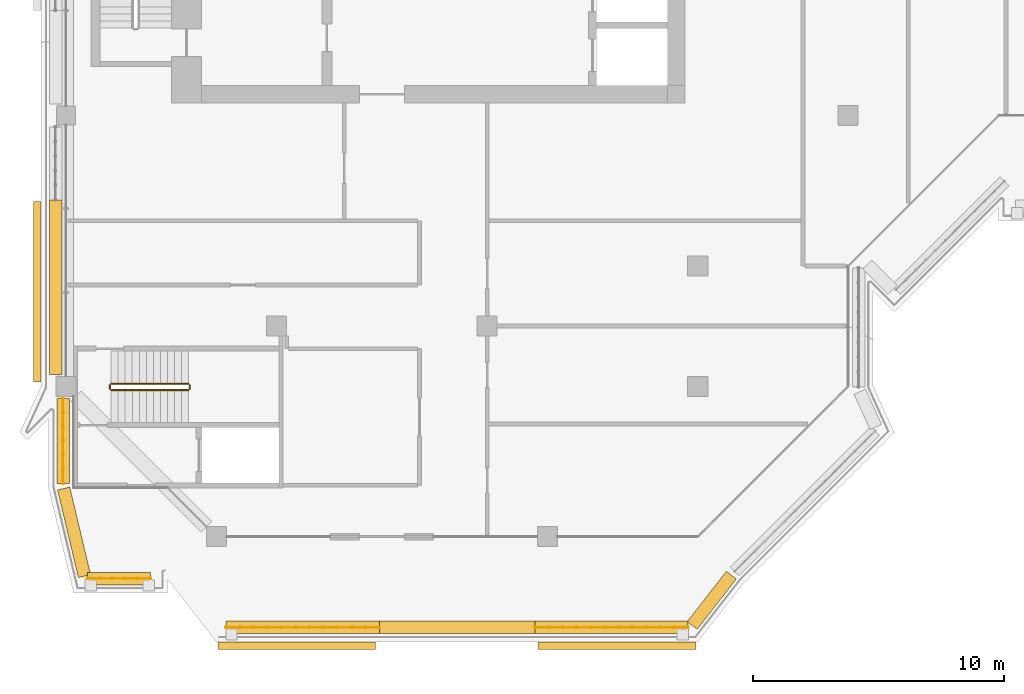
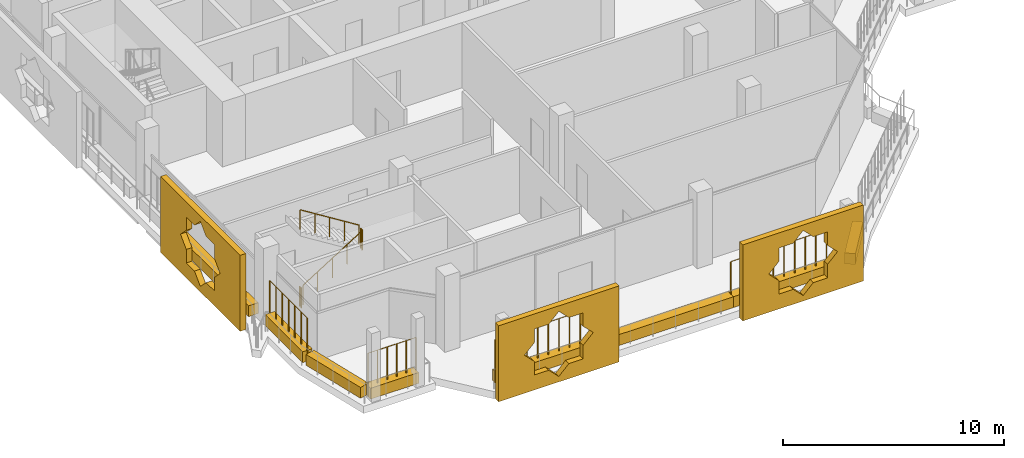
# One storey, part 15 of 21: 11 coverings, 8 railings.
"""IFC4 building model written with IfcOpenShell, lengths in metres."""

from ifc_helpers import new_model, si_unit, direction, frame, origin, origin_2d, place, context, subcontext, project, spatial, polyline, rectangle, circle, outline, extrude, material, material_profile, profile_set, type_object, element, save


model = new_model("IFC4")

# Units and contexts
model_context = context("Model", 3, precision=1e-05, world=origin(), true_north=direction((0.0, 1.0)))
body_context = subcontext(model_context, "Body", "Model", "MODEL_VIEW")
ifc_project = project(units=[si_unit("LENGTHUNIT", "METRE"), si_unit("AREAUNIT", "SQUARE_METRE"), si_unit("VOLUMEUNIT", "CUBIC_METRE"), si_unit("PLANEANGLEUNIT", "RADIAN"), si_unit("MASSUNIT", "GRAM", prefix="KILO")], contexts=[model_context])

# Site, building, storey
site_placement = place(None, origin())
site = spatial("IfcSite", under=ifc_project, at=site_placement, CompositionType="ELEMENT")
building_placement = place(site_placement, origin())
building = spatial("IfcBuilding", under=site, at=building_placement, Name="Kawkab Arch Medical Tower", CompositionType="ELEMENT")
storey_placement = place(building_placement, frame((0.0, 0.0, 319.60009765625)))
storey = spatial("IfcBuildingStorey", under=building, at=storey_placement, Name="L74", CompositionType="ELEMENT", Elevation=319.60009765625)

# Coverings
ifc_material_1 = material(Name="Bronze anodised aluminium mashrabiya panel, eight-point star pattern", Category="aluminium")
ifc_material_profile_1 = material_profile(ifc_material_1, outline(polyline([(-3.14990234375, -2.10009765625), (3.14990234375, -2.10009765625), (3.14990234375, 2.10009765625), (-3.14990234375, 2.10009765625), (-3.14990234375, -2.10009765625)]), holes=[polyline([(1.800048828125, 0.0), (1.272705078125, 0.527099609375), (1.272705078125, 1.272705078125), (0.527099609375, 1.272705078125), (0.0, 1.800048828125), (-0.527099609375, 1.272705078125), (-1.272705078125, 1.272705078125), (-1.272705078125, 0.527099609375), (-1.800048828125, 0.0), (-1.272705078125, -0.527099609375), (-1.272705078125, -1.272705078125), (-0.527099609375, -1.272705078125), (0.0, -1.800048828125), (0.527099609375, -1.272705078125), (1.272705078125, -1.272705078125), (1.272705078125, -0.527099609375), (1.800048828125, 0.0)])]), Name="Mashrabiya panel 6300x4200")
ifc_profile_set_1 = profile_set([ifc_material_profile_1], Name="Bronze anodised aluminium mashrabiya panel, eight-point star pattern")
covering_type_1 = type_object("IfcCoveringType", Name="Mashrabiya panel 6300 x 4200", PredefinedType="USERDEFINED", material=ifc_profile_set_1)
for number, where, z_axis, x_axis, name in (
    (1, (21.976806640625, -46.199951171875, 1.699951171875), (0.0, -1.0, 0.0), (1.0, 0.0, 0.0), "Mashrabiya panel L74.LOG-01-01.8"),
    (2, (9.203369140625, -46.199951171875, 1.699951171875), (0.0, -1.0, 0.0), (1.0, 0.0, 0.0), "Mashrabiya panel L74.LOG-01-01.9"),
):
    element("IfcCovering", number, at=place(storey_placement, frame(where, z_axis=z_axis, x_axis=x_axis)), inside=storey, type_object=covering_type_1, Name=name, ObjectType="SCREEN", PredefinedType="USERDEFINED", context=body_context, shape_type="SweptSolid", body=[
        extrude(outline(polyline([(-3.14990234375, -2.10009765625), (3.14990234375, -2.10009765625), (3.14990234375, 2.10009765625), (-3.14990234375, 2.10009765625), (-3.14990234375, -2.10009765625)]), holes=[polyline([(1.800048828125, 0.0), (1.272705078125, 0.527099609375), (1.272705078125, 1.272705078125), (0.527099609375, 1.272705078125), (0.0, 1.800048828125), (-0.527099609375, 1.272705078125), (-1.272705078125, 1.272705078125), (-1.272705078125, 0.527099609375), (-1.800048828125, 0.0), (-1.272705078125, -0.527099609375), (-1.272705078125, -1.272705078125), (-0.527099609375, -1.272705078125), (0.0, -1.800048828125), (0.527099609375, -1.272705078125), (1.272705078125, -1.272705078125), (1.272705078125, -0.527099609375), (1.800048828125, 0.0)])]), origin(), (0.0, 0.0, 1.0), 0.300048828125),
    ])
ifc_material_2 = material(Name="Bronze anodised aluminium mashrabiya panel, eight-point star pattern", Category="aluminium")
ifc_material_profile_2 = material_profile(ifc_material_2, outline(polyline([(-3.60009765625, -2.10009765625), (3.60009765625, -2.10009765625), (3.60009765625, 2.10009765625), (-3.60009765625, 2.10009765625), (-3.60009765625, -2.10009765625)]), holes=[polyline([(1.800048828125, 0.0), (1.272705078125, 0.527099609375), (1.272705078125, 1.272705078125), (0.527099609375, 1.272705078125), (0.0, 1.800048828125), (-0.527099609375, 1.272705078125), (-1.272705078125, 1.272705078125), (-1.272705078125, 0.527099609375), (-1.800048828125, 0.0), (-1.272705078125, -0.527099609375), (-1.272705078125, -1.272705078125), (-0.527099609375, -1.272705078125), (0.0, -1.800048828125), (0.527099609375, -1.272705078125), (1.272705078125, -1.272705078125), (1.272705078125, -0.527099609375), (1.800048828125, 0.0)])]), Name="Mashrabiya panel 7200x4200")
ifc_profile_set_2 = profile_set([ifc_material_profile_2], Name="Bronze anodised aluminium mashrabiya panel, eight-point star pattern")
covering_type_2 = type_object("IfcCoveringType", Name="Mashrabiya panel 7200 x 4200", PredefinedType="USERDEFINED", material=ifc_profile_set_2)
covering_1_placement = place(storey_placement, frame((-1.0, -32.231689453125, 1.699951171875), z_axis=(-1.0, 0.0, 0.0), x_axis=(0.0, -1.0, 0.0)))
element("IfcCovering", 3, at=covering_1_placement, inside=storey, type_object=covering_type_2, Name="Mashrabiya panel L74.LOG-01-01.1", ObjectType="SCREEN", PredefinedType="USERDEFINED", context=body_context, shape_type="SweptSolid", body=[
    extrude(outline(polyline([(-3.60009765625, -2.10009765625), (3.60009765625, -2.10009765625), (3.60009765625, 2.10009765625), (-3.60009765625, 2.10009765625), (-3.60009765625, -2.10009765625)]), holes=[polyline([(1.800048828125, 0.0), (1.272705078125, 0.527099609375), (1.272705078125, 1.272705078125), (0.527099609375, 1.272705078125), (0.0, 1.800048828125), (-0.527099609375, 1.272705078125), (-1.272705078125, 1.272705078125), (-1.272705078125, 0.527099609375), (-1.800048828125, 0.0), (-1.272705078125, -0.527099609375), (-1.272705078125, -1.272705078125), (-0.527099609375, -1.272705078125), (0.0, -1.800048828125), (0.527099609375, -1.272705078125), (1.272705078125, -1.272705078125), (1.272705078125, -0.527099609375), (1.800048828125, 0.0)])]), origin(), (0.0, 0.0, 1.0), 0.300048828125),
])
ifc_material_3 = material(Name="Planting soil in a precast trough", Category="concrete")
ifc_material_profile_3 = material_profile(ifc_material_3, rectangle(XDim=0.5, YDim=0.60009765625, at=origin_2d()), Name="Trough 500x600")
ifc_profile_set_3 = profile_set([ifc_material_profile_3], Name="Planting soil in a precast trough")
covering_type_3 = type_object("IfcCoveringType", Name="Planter trough 500 x 600", PredefinedType="USERDEFINED", material=ifc_profile_set_3)
covering_2_placement = place(storey_placement, frame((3.3701171875, -43.669921875, 0.2998046875), z_axis=(-1.0, 0.0, 0.0), x_axis=(0.0, -1.0, 0.0)))
element("IfcCovering", 4, at=covering_2_placement, inside=storey, type_object=covering_type_3, Name="Planter L74.LOG-01-01.1", ObjectType="PLANTER", PredefinedType="USERDEFINED", context=body_context, shape_type="SweptSolid", body=[
    extrude(rectangle(XDim=0.5, YDim=0.60009765625, at=origin_2d()), origin(), (0.0, 0.0, 1.0), 2.51220703125),
])
covering_3_placement = place(storey_placement, frame((0.735107421875, -43.572998046875, 0.2998046875), z_axis=(-0.231660349642, 0.972796732315, 0.0), x_axis=(-0.972796732315, -0.231660349642, 0.0)))
element("IfcCovering", 5, at=covering_3_placement, inside=storey, type_object=covering_type_3, Name="Planter L74.LOG-01-01.2", ObjectType="PLANTER", PredefinedType="USERDEFINED", context=body_context, shape_type="SweptSolid", body=[
    extrude(rectangle(XDim=0.5, YDim=0.60009765625, at=origin_2d()), origin(), (0.0, 0.0, 1.0), 3.591552734375),
])
covering_4_placement = place(storey_placement, frame((-0.1201171875, -39.882080078125, 0.2998046875), z_axis=(0.0, 1.0, 0.0), x_axis=(-1.0, 0.0, 0.0)))
element("IfcCovering", 6, at=covering_4_placement, inside=storey, type_object=covering_type_3, Name="Planter L74.LOG-01-01.3", ObjectType="PLANTER", PredefinedType="USERDEFINED", context=body_context, shape_type="SweptSolid", body=[
    extrude(rectangle(XDim=0.5, YDim=0.60009765625, at=origin_2d()), origin(), (0.0, 0.0, 1.0), 3.402099609375),
])
covering_5_placement = place(storey_placement, frame((-0.419921875, -35.52001953125, 0.2998046875), z_axis=(0.0, 1.0, 0.0), x_axis=(-1.0, 0.0, 0.0)))
element("IfcCovering", 7, at=covering_5_placement, inside=storey, type_object=covering_type_3, Name="Planter L74.LOG-01-01.4", ObjectType="PLANTER", PredefinedType="USERDEFINED", context=body_context, shape_type="SweptSolid", body=[
    extrude(rectangle(XDim=0.5, YDim=0.60009765625, at=origin_2d()), origin(), (0.0, 0.0, 1.0), 6.95703125),
])
covering_6_placement = place(storey_placement, frame((26.541015625, -43.531982421875, 0.2998046875), z_axis=(-0.61404021143, -0.789274742246, 0.0), x_axis=(0.789274742246, -0.61404021143, 0.0)))
element("IfcCovering", 8, at=covering_6_placement, inside=storey, type_object=covering_type_3, Name="Planter L74.LOG-01-01.34", ObjectType="PLANTER", PredefinedType="USERDEFINED", context=body_context, shape_type="SweptSolid", body=[
    extrude(rectangle(XDim=0.5, YDim=0.60009765625, at=origin_2d()), origin(), (0.0, 0.0, 1.0), 2.54541015625),
])
covering_7_placement = place(storey_placement, frame((24.81591796875, -45.6201171875, 0.2998046875), z_axis=(-1.0, 0.0, 0.0), x_axis=(0.0, -1.0, 0.0)))
element("IfcCovering", 9, at=covering_7_placement, inside=storey, type_object=covering_type_3, Name="Planter L74.LOG-01-01.35", ObjectType="PLANTER", PredefinedType="USERDEFINED", context=body_context, shape_type="SweptSolid", body=[
    extrude(rectangle(XDim=0.5, YDim=0.60009765625, at=origin_2d()), origin(), (0.0, 0.0, 1.0), 6.11083984375),
])
covering_8_placement = place(storey_placement, frame((18.705078125, -45.6201171875, 0.2998046875), z_axis=(-1.0, 0.0, 0.0), x_axis=(0.0, -1.0, 0.0)))
element("IfcCovering", 10, at=covering_8_placement, inside=storey, type_object=covering_type_3, Name="Planter L74.LOG-01-01.36", ObjectType="PLANTER", PredefinedType="USERDEFINED", context=body_context, shape_type="SweptSolid", body=[
    extrude(rectangle(XDim=0.5, YDim=0.60009765625, at=origin_2d()), origin(), (0.0, 0.0, 1.0), 6.2099609375),
])
covering_9_placement = place(storey_placement, frame((12.4951171875, -45.6201171875, 0.2998046875), z_axis=(-1.0, 0.0, 0.0), x_axis=(0.0, -1.0, 0.0)))
element("IfcCovering", 11, at=covering_9_placement, inside=storey, type_object=covering_type_3, Name="Planter L74.LOG-01-01.37", ObjectType="PLANTER", PredefinedType="USERDEFINED", context=body_context, shape_type="SweptSolid", body=[
    extrude(rectangle(XDim=0.5, YDim=0.60009765625, at=origin_2d()), origin(), (0.0, 0.0, 1.0), 6.111083984375),
])

# Railings
ifc_material_4 = material(Name="Bronze anodised aluminium trellis for climbing plants", Category="aluminium")
railing_type_1 = type_object("IfcRailingType", Name="Planting trellis 2400", PredefinedType="USERDEFINED", material=ifc_material_4)
railing_1_placement = place(storey_placement, frame((3.3701171875, -43.669921875, 0.0)))
element("IfcRailing", 12, at=railing_1_placement, inside=storey, type_object=railing_type_1, Name="Planting trellis L74.LOG-01-01.1", ObjectType="TRELLIS", PredefinedType="USERDEFINED", context=body_context, shape_type="SweptSolid", body=[
    extrude(circle(Radius=0.01513671875, at=origin_2d()), frame((0.0, 0.0, 2.384765625), z_axis=(-1.0, 0.0, 0.0), x_axis=(0.0, -1.0, 0.0)), (0.0, 0.0, 1.0), 2.51220703125),
    extrude(circle(Radius=0.030029296875, at=origin_2d()), origin(), (0.0, 0.0, 1.0), 2.369873046875),
    extrude(circle(Radius=0.030029296875, at=origin_2d()), frame((-0.50244140625, 0.0, 0.0)), (0.0, 0.0, 1.0), 2.369873046875),
    extrude(circle(Radius=0.030029296875, at=origin_2d()), frame((-1.0048828125, 0.0, 0.0)), (0.0, 0.0, 1.0), 2.369873046875),
    extrude(circle(Radius=0.030029296875, at=origin_2d()), frame((-1.50732421875, 0.0, 0.0)), (0.0, 0.0, 1.0), 2.369873046875),
    extrude(circle(Radius=0.030029296875, at=origin_2d()), frame((-2.009765625, 0.0, 0.0)), (0.0, 0.0, 1.0), 2.369873046875),
    extrude(circle(Radius=0.030029296875, at=origin_2d()), frame((-2.51220703125, 0.0, 0.0)), (0.0, 0.0, 1.0), 2.369873046875),
])
railing_2_placement = place(storey_placement, frame((-0.1201171875, -39.882080078125, 0.0)))
element("IfcRailing", 13, at=railing_2_placement, inside=storey, type_object=railing_type_1, Name="Planting trellis L74.LOG-01-01.3", ObjectType="TRELLIS", PredefinedType="USERDEFINED", context=body_context, shape_type="SweptSolid", body=[
    extrude(circle(Radius=0.01513671875, at=origin_2d()), frame((0.0, 0.0, 2.384765625), z_axis=(0.0, 1.0, 0.0), x_axis=(-1.0, 0.0, 0.0)), (0.0, 0.0, 1.0), 3.402099609375),
    extrude(circle(Radius=0.030029296875, at=origin_2d()), origin(), (0.0, 0.0, 1.0), 2.369873046875),
    extrude(circle(Radius=0.030029296875, at=origin_2d()), frame((0.0, 0.56689453125, 0.0)), (0.0, 0.0, 1.0), 2.369873046875),
    extrude(circle(Radius=0.030029296875, at=origin_2d()), frame((0.0, 1.134033203125, 0.0)), (0.0, 0.0, 1.0), 2.369873046875),
    extrude(circle(Radius=0.030029296875, at=origin_2d()), frame((0.0, 1.701171875, 0.0)), (0.0, 0.0, 1.0), 2.369873046875),
    extrude(circle(Radius=0.030029296875, at=origin_2d()), frame((0.0, 2.26806640625, 0.0)), (0.0, 0.0, 1.0), 2.369873046875),
    extrude(circle(Radius=0.030029296875, at=origin_2d()), frame((0.0, 2.8349609375, 0.0)), (0.0, 0.0, 1.0), 2.369873046875),
    extrude(circle(Radius=0.030029296875, at=origin_2d()), frame((0.0, 3.402099609375, 0.0)), (0.0, 0.0, 1.0), 2.369873046875),
])
railing_3_placement = place(storey_placement, frame((24.81591796875, -45.6201171875, 0.0)))
element("IfcRailing", 14, at=railing_3_placement, inside=storey, type_object=railing_type_1, Name="Planting trellis L74.LOG-01-01.35", ObjectType="TRELLIS", PredefinedType="USERDEFINED", context=body_context, shape_type="SweptSolid", body=[
    extrude(circle(Radius=0.01513671875, at=origin_2d()), frame((0.0, 0.0, 2.384765625), z_axis=(-1.0, 0.0, 0.0), x_axis=(0.0, -1.0, 0.0)), (0.0, 0.0, 1.0), 6.11083984375),
    extrude(circle(Radius=0.030029296875, at=origin_2d()), origin(), (0.0, 0.0, 1.0), 2.369873046875),
    extrude(circle(Radius=0.030029296875, at=origin_2d()), frame((-0.555419921875, 0.0, 0.0)), (0.0, 0.0, 1.0), 2.369873046875),
    extrude(circle(Radius=0.030029296875, at=origin_2d()), frame((-1.111083984375, 0.0, 0.0)), (0.0, 0.0, 1.0), 2.369873046875),
    extrude(circle(Radius=0.030029296875, at=origin_2d()), frame((-1.66650390625, 0.0, 0.0)), (0.0, 0.0, 1.0), 2.369873046875),
    extrude(circle(Radius=0.030029296875, at=origin_2d()), frame((-2.22216796875, 0.0, 0.0)), (0.0, 0.0, 1.0), 2.369873046875),
    extrude(circle(Radius=0.030029296875, at=origin_2d()), frame((-2.777587890625, 0.0, 0.0)), (0.0, 0.0, 1.0), 2.369873046875),
    extrude(circle(Radius=0.030029296875, at=origin_2d()), frame((-3.333251953125, 0.0, 0.0)), (0.0, 0.0, 1.0), 2.369873046875),
    extrude(circle(Radius=0.030029296875, at=origin_2d()), frame((-3.888671875, 0.0, 0.0)), (0.0, 0.0, 1.0), 2.369873046875),
    extrude(circle(Radius=0.030029296875, at=origin_2d()), frame((-4.4443359375, 0.0, 0.0)), (0.0, 0.0, 1.0), 2.369873046875),
    extrude(circle(Radius=0.030029296875, at=origin_2d()), frame((-4.999755859375, 0.0, 0.0)), (0.0, 0.0, 1.0), 2.369873046875),
    extrude(circle(Radius=0.030029296875, at=origin_2d()), frame((-5.555419921875, 0.0, 0.0)), (0.0, 0.0, 1.0), 2.369873046875),
    extrude(circle(Radius=0.030029296875, at=origin_2d()), frame((-6.11083984375, 0.0, 0.0)), (0.0, 0.0, 1.0), 2.369873046875),
])
railing_4_placement = place(storey_placement, frame((12.4951171875, -45.6201171875, 0.0)))
element("IfcRailing", 15, at=railing_4_placement, inside=storey, type_object=railing_type_1, Name="Planting trellis L74.LOG-01-01.37", ObjectType="TRELLIS", PredefinedType="USERDEFINED", context=body_context, shape_type="SweptSolid", body=[
    extrude(circle(Radius=0.01513671875, at=origin_2d()), frame((0.0, 0.0, 2.384765625), z_axis=(-1.0, 0.0, 0.0), x_axis=(0.0, -1.0, 0.0)), (0.0, 0.0, 1.0), 6.111083984375),
    extrude(circle(Radius=0.030029296875, at=origin_2d()), origin(), (0.0, 0.0, 1.0), 2.369873046875),
    extrude(circle(Radius=0.030029296875, at=origin_2d()), frame((-0.5556640625, 0.0, 0.0)), (0.0, 0.0, 1.0), 2.369873046875),
    extrude(circle(Radius=0.030029296875, at=origin_2d()), frame((-1.111083984375, 0.0, 0.0)), (0.0, 0.0, 1.0), 2.369873046875),
    extrude(circle(Radius=0.030029296875, at=origin_2d()), frame((-1.666748046875, 0.0, 0.0)), (0.0, 0.0, 1.0), 2.369873046875),
    extrude(circle(Radius=0.030029296875, at=origin_2d()), frame((-2.22216796875, 0.0, 0.0)), (0.0, 0.0, 1.0), 2.369873046875),
    extrude(circle(Radius=0.030029296875, at=origin_2d()), frame((-2.77783203125, 0.0, 0.0)), (0.0, 0.0, 1.0), 2.369873046875),
    extrude(circle(Radius=0.030029296875, at=origin_2d()), frame((-3.333251953125, 0.0, 0.0)), (0.0, 0.0, 1.0), 2.369873046875),
    extrude(circle(Radius=0.030029296875, at=origin_2d()), frame((-3.888916015625, 0.0, 0.0)), (0.0, 0.0, 1.0), 2.369873046875),
    extrude(circle(Radius=0.030029296875, at=origin_2d()), frame((-4.4443359375, 0.0, 0.0)), (0.0, 0.0, 1.0), 2.369873046875),
    extrude(circle(Radius=0.030029296875, at=origin_2d()), frame((-5.0, 0.0, 0.0)), (0.0, 0.0, 1.0), 2.369873046875),
    extrude(circle(Radius=0.030029296875, at=origin_2d()), frame((-5.555419921875, 0.0, 0.0)), (0.0, 0.0, 1.0), 2.369873046875),
    extrude(circle(Radius=0.030029296875, at=origin_2d()), frame((-6.111083984375, 0.0, 0.0)), (0.0, 0.0, 1.0), 2.369873046875),
])
ifc_material_5 = material(Name="Stainless steel", Category="steel")
railing_type_2 = type_object("IfcRailingType", Name="Stair guard 1100", PredefinedType="GUARDRAIL", material=ifc_material_5)
railing_5_placement = place(storey_placement, frame((1.800048828125, -36.14990234375, 0.1748046875)))
element("IfcRailing", 16, at=railing_5_placement, inside=storey, type_object=railing_type_2, Name="L74 ST6 stair guard 1", PredefinedType="GUARDRAIL", context=body_context, shape_type="SweptSolid", body=[
    extrude(circle(Radius=0.02392578125, at=origin_2d()), frame((0.0, 0.0, 1.076171875), z_axis=(0.847979421464, 0.0, 0.530029150871), x_axis=(0.0, 1.0, 0.0)), (0.0, 0.0, 1.0), 3.632080078125),
    extrude(circle(Radius=0.02099609375, at=origin_2d()), origin(), (0.0, 0.0, 1.0), 1.052001953125),
    extrude(circle(Radius=0.02099609375, at=origin_2d()), frame((0.77001953125, 0.0, 0.481201171875)), (0.0, 0.0, 1.0), 1.052001953125),
    extrude(circle(Radius=0.02099609375, at=origin_2d()), frame((1.5400390625, 0.0, 0.96240234375)), (0.0, 0.0, 1.0), 1.052001953125),
    extrude(circle(Radius=0.02099609375, at=origin_2d()), frame((2.309814453125, 0.0, 1.44384765625)), (0.0, 0.0, 1.0), 1.052001953125),
    extrude(circle(Radius=0.02099609375, at=origin_2d()), frame((3.079833984375, 0.0, 1.925048828125)), (0.0, 0.0, 1.0), 1.052001953125),
])
railing_6_placement = place(storey_placement, frame((4.929931640625, -36.10009765625, 2.099853515625)))
element("IfcRailing", 17, at=railing_6_placement, inside=storey, type_object=railing_type_2, Name="L74 ST6 stair guard 2", PredefinedType="GUARDRAIL", context=body_context, shape_type="SweptSolid", body=[
    extrude(circle(Radius=0.02392578125, at=origin_2d()), frame((0.0, 0.0, 1.076171875), z_axis=(0.0, 1.0, 0.0), x_axis=(-1.0, 0.0, 0.0)), (0.0, 0.0, 1.0), 0.150146484375),
    extrude(circle(Radius=0.02099609375, at=origin_2d()), origin(), (0.0, 0.0, 1.0), 1.052001953125),
    extrude(circle(Radius=0.02099609375, at=origin_2d()), frame((0.0, 0.150146484375, 0.0)), (0.0, 0.0, 1.0), 1.052001953125),
])
railing_7_placement = place(storey_placement, frame((4.8798828125, -35.89990234375, 2.27490234375)))
element("IfcRailing", 18, at=railing_7_placement, inside=storey, type_object=railing_type_2, Name="L74 ST6 stair guard 3", PredefinedType="GUARDRAIL", context=body_context, shape_type="SweptSolid", body=[
    extrude(circle(Radius=0.02392578125, at=origin_2d()), frame((0.0, 0.0, 1.076171875), z_axis=(-0.847979421464, 0.0, 0.530029150871), x_axis=(0.0, -1.0, 0.0)), (0.0, 0.0, 1.0), 3.632080078125),
    extrude(circle(Radius=0.02099609375, at=origin_2d()), origin(), (0.0, 0.0, 1.0), 1.052001953125),
    extrude(circle(Radius=0.02099609375, at=origin_2d()), frame((-0.77001953125, 0.0, 0.481201171875)), (0.0, 0.0, 1.0), 1.052001953125),
    extrude(circle(Radius=0.02099609375, at=origin_2d()), frame((-1.5400390625, 0.0, 0.96240234375)), (0.0, 0.0, 1.0), 1.052001953125),
    extrude(circle(Radius=0.02099609375, at=origin_2d()), frame((-2.309814453125, 0.0, 1.44384765625)), (0.0, 0.0, 1.0), 1.052001953125),
    extrude(circle(Radius=0.02099609375, at=origin_2d()), frame((-3.079833984375, 0.0, 1.925048828125)), (0.0, 0.0, 1.0), 1.052001953125),
])
railing_8_placement = place(storey_placement, frame((1.75, -36.10009765625, 0.0)))
element("IfcRailing", 19, at=railing_8_placement, inside=storey, type_object=railing_type_2, Name="L74 ST6 stair guard 4", PredefinedType="GUARDRAIL", context=body_context, shape_type="SweptSolid", body=[
    extrude(circle(Radius=0.02392578125, at=origin_2d()), frame((0.0, 0.0, 1.076171875), z_axis=(0.0, 1.0, 0.0), x_axis=(-1.0, 0.0, 0.0)), (0.0, 0.0, 1.0), 0.150146484375),
    extrude(circle(Radius=0.02099609375, at=origin_2d()), origin(), (0.0, 0.0, 1.0), 1.052001953125),
    extrude(circle(Radius=0.02099609375, at=origin_2d()), frame((0.0, 0.150146484375, 0.0)), (0.0, 0.0, 1.0), 1.052001953125),
])

save(model, "model.ifc")
